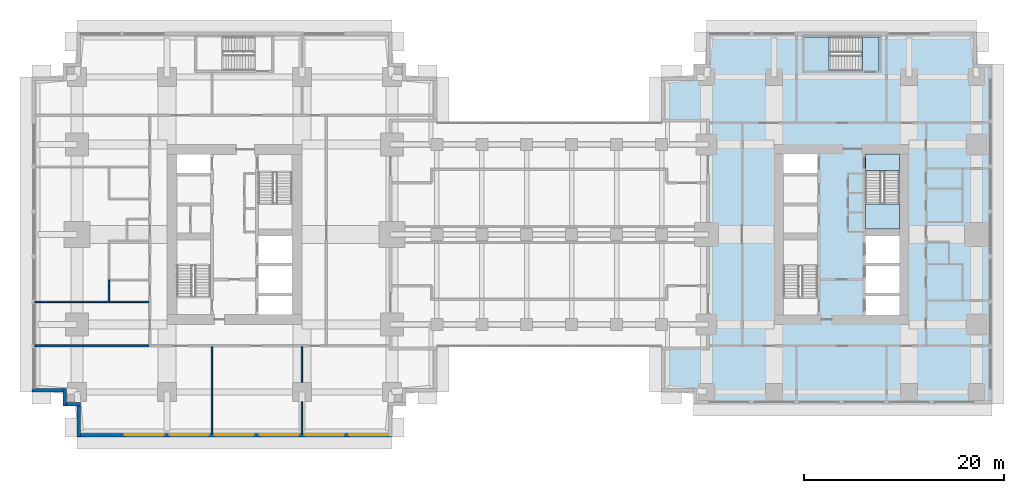
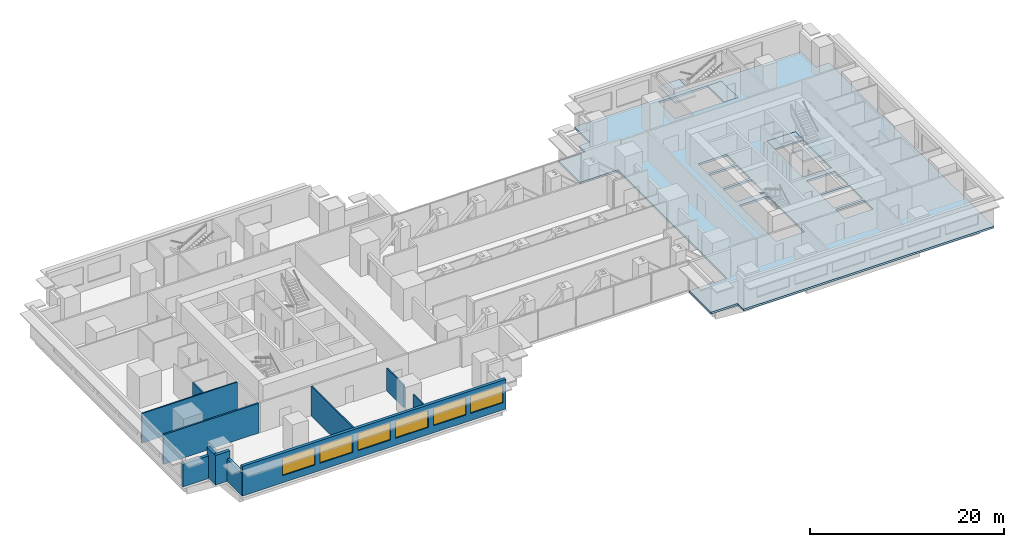
# One storey, part 6 of 16: 11 walls, 6 windows, 5 slabs, 6 openings, 2 elements without a shape of their own.
"""IFC4 building model written with IfcOpenShell, lengths in metres."""

from ifc_helpers import new_model, si_unit, direction, frame, frame_2d, origin, place, context, subcontext, project, spatial, polyline, rectangle, outline, extrude, material, layer, layer_set, type_object, element, fill, aggregate, save


model = new_model("IFC4")

# Units and contexts
model_context = context("Model", 3, precision=1e-05, world=origin(), true_north=direction((0.0, 1.0)))
body_context = subcontext(model_context, "Body", "Model", "MODEL_VIEW")
ifc_project = project(units=[si_unit("LENGTHUNIT", "METRE"), si_unit("AREAUNIT", "SQUARE_METRE"), si_unit("VOLUMEUNIT", "CUBIC_METRE"), si_unit("PLANEANGLEUNIT", "RADIAN"), si_unit("MASSUNIT", "GRAM", prefix="KILO")], contexts=[model_context])

# Site, building, storey
site_placement = place(None, origin())
site = spatial("IfcSite", under=ifc_project, at=site_placement, CompositionType="ELEMENT")
building_placement = place(site_placement, origin())
building = spatial("IfcBuilding", under=site, at=building_placement, Name="Namib Vertical Campus", CompositionType="ELEMENT")
storey_placement = place(building_placement, frame((0.0, 0.0, 125.0)))
storey = spatial("IfcBuildingStorey", under=building, at=storey_placement, Name="L29", CompositionType="ELEMENT", Elevation=125.0)

# Slab
ifc_material_1 = material(Name="Concrete C40/50", Category="concrete")
ifc_layer_1 = layer(ifc_material_1, 0.25)
ifc_layer_set_1 = layer_set([ifc_layer_1], Name="Concrete C40/50")
slab_type_1 = type_object("IfcSlabType", Name="Floor slab 250", PredefinedType="FLOOR", material=ifc_layer_set_1)
slab_1_placement = place(storey_placement, frame((0.0, 0.0, -0.25)))
element("IfcSlab", 1, at=slab_1_placement, inside=storey, type_object=slab_type_1, Name="Floor slab B L29", PredefinedType="FLOOR", context=body_context, shape_type="SweptSolid", body=[
    extrude(outline(polyline([(63.0, 9.0), (63.0, 4.5), (66.199951171875, 4.5), (66.199951171875, 3.300048828125), (96.050048828125, 3.300048828125), (96.050048828125, 37.300048828125), (94.5, 37.300048828125), (94.5, 40.5), (67.5, 40.5), (67.5, 37.300048828125), (66.199951171875, 37.300048828125), (66.199951171875, 36.0), (63.0, 36.0), (63.0, 31.5), (67.5, 31.5), (67.5, 9.0), (63.0, 9.0)]), holes=[polyline([(75.199951171875, 12.199951171875), (78.60009765625, 12.199951171875), (78.60009765625, 19.699951171875), (75.199951171875, 19.699951171875), (75.199951171875, 12.199951171875)]), polyline([(83.39990234375, 20.800048828125), (86.800048828125, 20.800048828125), (86.800048828125, 28.300048828125), (83.39990234375, 28.300048828125), (83.39990234375, 20.800048828125)]), polyline([(83.39990234375, 12.199951171875), (86.800048828125, 12.199951171875), (86.800048828125, 14.10009765625), (83.39990234375, 14.10009765625), (83.39990234375, 12.199951171875)]), polyline([(75.199951171875, 20.39990234375), (78.60009765625, 20.39990234375), (78.60009765625, 23.10009765625), (75.199951171875, 23.10009765625), (75.199951171875, 20.39990234375)]), polyline([(75.199951171875, 23.39990234375), (78.60009765625, 23.39990234375), (78.60009765625, 26.10009765625), (75.199951171875, 26.10009765625), (75.199951171875, 23.39990234375)]), polyline([(75.199951171875, 26.39990234375), (78.60009765625, 26.39990234375), (78.60009765625, 28.300048828125), (75.199951171875, 28.300048828125), (75.199951171875, 26.39990234375)]), polyline([(83.39990234375, 14.39990234375), (86.800048828125, 14.39990234375), (86.800048828125, 17.10009765625), (83.39990234375, 17.10009765625), (83.39990234375, 14.39990234375)]), polyline([(83.39990234375, 17.39990234375), (86.800048828125, 17.39990234375), (86.800048828125, 20.10009765625), (83.39990234375, 20.10009765625), (83.39990234375, 17.39990234375)]), polyline([(77.25, 36.60009765625), (84.75, 36.60009765625), (84.75, 40.0), (77.25, 40.0), (77.25, 36.60009765625)])]), origin(), (0.0, 0.0, 1.0), 0.25),
])

# Stair, slabs
ifc_material_2 = material(Name="Concrete C40/50 precast", Category="concrete")
stair_type = type_object("IfcStairType", Name="Exit stair 4000 rise 24 risers 3400 wide", PredefinedType="HALF_TURN_STAIR", material=ifc_material_2)
stair_1_placement = place(storey_placement, origin())
stair_1 = element("IfcStair", 2, at=stair_1_placement, inside=storey, type_object=stair_type, Name="Exit stair B-S2 L29", PredefinedType="HALF_TURN_STAIR")
ifc_material_3 = material(Name="Concrete C40/50", Category="concrete")
ifc_layer_2 = layer(ifc_material_3, 0.199951171875)
ifc_layer_set_2 = layer_set([ifc_layer_2], Name="Concrete C40/50")
slab_type_2 = type_object("IfcSlabType", Name="Stair landing 200", PredefinedType="LANDING", material=ifc_layer_set_2)
slab_2_placement = place(storey_placement, frame((0.0, 0.0, -0.199951171875)))
slab_2 = element("IfcSlab", 3, at=slab_2_placement, type_object=slab_type_2, Name="B-S2 landing 1", PredefinedType="LANDING", context=body_context, shape_type="SweptSolid", body=[
    extrude(outline(polyline([(83.39990234375, 26.64599609375), (86.800048828125, 26.64599609375), (86.800048828125, 28.300048828125), (83.39990234375, 28.300048828125), (83.39990234375, 26.64599609375)])), origin(), (0.0, 0.0, 1.0), 0.199951171875),
])
slab_3_placement = place(storey_placement, frame((0.0, 0.0, 1.800048828125)))
slab_3 = element("IfcSlab", 4, at=slab_3_placement, type_object=slab_type_2, Name="B-S2 landing 2", PredefinedType="LANDING", context=body_context, shape_type="SweptSolid", body=[
    extrude(outline(polyline([(83.39990234375, 20.800048828125), (86.800048828125, 20.800048828125), (86.800048828125, 23.27392578125), (83.39990234375, 23.27392578125), (83.39990234375, 20.800048828125)])), origin(), (0.0, 0.0, 1.0), 0.199951171875),
])
aggregate(stair_1, [slab_2, slab_3])

stair_2_placement = place(storey_placement, origin())
stair_2 = element("IfcStair", 5, at=stair_2_placement, inside=storey, type_object=stair_type, Name="Exit stair B-S3 L29", PredefinedType="HALF_TURN_STAIR")
slab_4_placement = place(storey_placement, frame((0.0, 0.0, -0.199951171875)))
slab_4 = element("IfcSlab", 6, at=slab_4_placement, type_object=slab_type_2, Name="B-S3 landing 1", PredefinedType="LANDING", context=body_context, shape_type="SweptSolid", body=[
    extrude(outline(polyline([(83.09619140625, 36.60009765625), (83.09619140625, 40.0), (84.75, 40.0), (84.75, 36.60009765625), (83.09619140625, 36.60009765625)])), origin(), (0.0, 0.0, 1.0), 0.199951171875),
])
slab_5_placement = place(storey_placement, frame((0.0, 0.0, 1.800048828125)))
slab_5 = element("IfcSlab", 7, at=slab_5_placement, type_object=slab_type_2, Name="B-S3 landing 2", PredefinedType="LANDING", context=body_context, shape_type="SweptSolid", body=[
    extrude(outline(polyline([(77.25, 36.60009765625), (77.25, 40.0), (79.723876953125, 40.0), (79.723876953125, 36.60009765625), (77.25, 36.60009765625)])), origin(), (0.0, 0.0, 1.0), 0.199951171875),
])
aggregate(stair_2, [slab_4, slab_5])

# Walls
ifc_material_4 = material(Name="Concrete masonry", Category="masonry")
ifc_layer_3 = layer(ifc_material_4, 0.199951171875)
ifc_layer_set_3 = layer_set([ifc_layer_3], Name="Corridor wall 200")
wall_type_1 = type_object("IfcWallType", Name="Corridor wall 200", PredefinedType="SOLIDWALL", material=ifc_layer_set_3)
wall_1_placement = place(storey_placement, frame((0.300048828125, 9.10009765625, 0.0), z_axis=(0.0, 0.0, 1.0), x_axis=(1.0, 0.0, 0.0)))
element("IfcWall", 8, at=wall_1_placement, inside=storey, type_object=wall_type_1, Name="Partition A L29 BSW", PredefinedType="SOLIDWALL", context=body_context, shape_type="SweptSolid", body=[
    extrude(rectangle(XDim=11.39990234375, YDim=0.199951171875, at=frame_2d((5.699951171875, 0.0))), origin(), (0.0, 0.0, 1.0), 3.75),
])
ifc_material_5 = material(Name="Concrete C40/50", Category="concrete")
ifc_layer_4 = layer(ifc_material_5, 0.35009765625)
ifc_layer_set_4 = layer_set([ifc_layer_4], Name="Concrete C40/50")
wall_type_2 = type_object("IfcWallType", Name="External wall 350 bush-hammered concrete", PredefinedType="STANDARD", material=ifc_layer_set_4)
wall_2_placement = place(storey_placement, frame((4.675048828125, 3.429931640625, 0.0), z_axis=(0.0, 0.0, 1.0), x_axis=(0.0, -1.0, 0.0)))
element("IfcWall", 9, at=wall_2_placement, inside=storey, type_object=wall_type_2, Name="External wall L29 F01", PredefinedType="STANDARD", context=body_context, shape_type="SweptSolid", body=[
    extrude(rectangle(XDim=3.409912109375, YDim=0.35009765625, at=frame_2d((1.705078125, 0.0))), origin(), (0.0, 0.0, 1.0), 2.85009765625),
])

# Wall, openings, windows
wall_3_placement = place(storey_placement, frame((4.52001953125, 0.175048828125, 0.0), z_axis=(0.0, 0.0, 1.0), x_axis=(1.0, 0.0, 0.0)))
wall_3 = element("IfcWall", 10, at=wall_3_placement, inside=storey, type_object=wall_type_2, Name="External wall L29 F02", PredefinedType="STANDARD", context=body_context, shape_type="SweptSolid", body=[
    extrude(rectangle(XDim=31.4599609375, YDim=0.35009765625, at=frame_2d((15.72998046875, 0.0))), origin(), (0.0, 0.0, 1.0), 3.75),
])
opening_1_placement = place(wall_3_placement, frame((4.780029296875, 0.0, 0.89990234375)))
opening_1 = element("IfcOpeningElement", 11, at=opening_1_placement, cuts=wall_3, Name="Opening W1", PredefinedType="OPENING", context=body_context, shape_type="SweptSolid", body=[
    extrude(rectangle(XDim=3.89990234375, YDim=2.199951171875, at=frame_2d((1.949951171875, 1.10009765625))), frame((0.0, 0.18505859375, 0.0), z_axis=(0.0, -1.0, 0.0), x_axis=(1.0, 0.0, 0.0)), (0.0, 0.0, 1.0), 0.3701171875),
])
opening_2_placement = place(wall_3_placement, frame((9.280029296875, 0.0, 0.89990234375)))
opening_2 = element("IfcOpeningElement", 12, at=opening_2_placement, cuts=wall_3, Name="Opening W1", PredefinedType="OPENING", context=body_context, shape_type="SweptSolid", body=[
    extrude(rectangle(XDim=3.89990234375, YDim=2.199951171875, at=frame_2d((1.949951171875, 1.10009765625))), frame((0.0, 0.18505859375, 0.0), z_axis=(0.0, -1.0, 0.0), x_axis=(1.0, 0.0, 0.0)), (0.0, 0.0, 1.0), 0.3701171875),
])
opening_3_placement = place(wall_3_placement, frame((13.780029296875, 0.0, 0.89990234375)))
opening_3 = element("IfcOpeningElement", 13, at=opening_3_placement, cuts=wall_3, Name="Opening W1", PredefinedType="OPENING", context=body_context, shape_type="SweptSolid", body=[
    extrude(rectangle(XDim=3.89990234375, YDim=2.199951171875, at=frame_2d((1.949951171875, 1.10009765625))), frame((0.0, 0.18505859375, 0.0), z_axis=(0.0, -1.0, 0.0), x_axis=(1.0, 0.0, 0.0)), (0.0, 0.0, 1.0), 0.3701171875),
])
opening_4_placement = place(wall_3_placement, frame((18.280029296875, 0.0, 0.89990234375)))
opening_4 = element("IfcOpeningElement", 14, at=opening_4_placement, cuts=wall_3, Name="Opening W1", PredefinedType="OPENING", context=body_context, shape_type="SweptSolid", body=[
    extrude(rectangle(XDim=3.89990234375, YDim=2.199951171875, at=frame_2d((1.949951171875, 1.10009765625))), frame((0.0, 0.18505859375, 0.0), z_axis=(0.0, -1.0, 0.0), x_axis=(1.0, 0.0, 0.0)), (0.0, 0.0, 1.0), 0.3701171875),
])
opening_5_placement = place(wall_3_placement, frame((22.780029296875, 0.0, 0.89990234375)))
opening_5 = element("IfcOpeningElement", 15, at=opening_5_placement, cuts=wall_3, Name="Opening W1", PredefinedType="OPENING", context=body_context, shape_type="SweptSolid", body=[
    extrude(rectangle(XDim=3.89990234375, YDim=2.199951171875, at=frame_2d((1.949951171875, 1.10009765625))), frame((0.0, 0.18505859375, 0.0), z_axis=(0.0, -1.0, 0.0), x_axis=(1.0, 0.0, 0.0)), (0.0, 0.0, 1.0), 0.3701171875),
])
opening_6_placement = place(wall_3_placement, frame((27.2099609375, 0.0, 0.89990234375)))
opening_6 = element("IfcOpeningElement", 16, at=opening_6_placement, cuts=wall_3, Name="Opening W1", PredefinedType="OPENING", context=body_context, shape_type="SweptSolid", body=[
    extrude(rectangle(XDim=3.89990234375, YDim=2.199951171875, at=frame_2d((1.949951171875, 1.10009765625))), frame((0.0, 0.18505859375, 0.0), z_axis=(0.0, -1.0, 0.0), x_axis=(1.0, 0.0, 0.0)), (0.0, 0.0, 1.0), 0.3701171875),
])
ifc_material_6 = material(Name="Dark tinted glass in black aluminium frame", Category="aluminium")
window_type = type_object("IfcWindowType", Name="Ribbon window 3900x2200", PartitioningType="SINGLE_PANEL", PredefinedType="WINDOW", material=ifc_material_6)
window_1_placement = place(opening_1_placement, origin())
window_1 = element("IfcWindow", 17, at=window_1_placement, inside=storey, type_object=window_type, Name="Window W1 L29 F02-2", OverallHeight=2.199951171875, OverallWidth=3.89990234375, PartitioningType="SINGLE_PANEL", PredefinedType="WINDOW", context=body_context, shape_type="SweptSolid", body=[
    extrude(rectangle(XDim=3.89990234375, YDim=2.199951171875, at=frame_2d((1.949951171875, 1.10009765625))), frame((0.0, 0.030029296875, 0.0), z_axis=(0.0, -1.0, 0.0), x_axis=(1.0, 0.0, 0.0)), (0.0, 0.0, 1.0), 0.06005859375),
])
fill(opening_1, window_1)
window_2_placement = place(opening_2_placement, origin())
window_2 = element("IfcWindow", 18, at=window_2_placement, inside=storey, type_object=window_type, Name="Window W1 L29 F02-3", OverallHeight=2.199951171875, OverallWidth=3.89990234375, PartitioningType="SINGLE_PANEL", PredefinedType="WINDOW", context=body_context, shape_type="SweptSolid", body=[
    extrude(rectangle(XDim=3.89990234375, YDim=2.199951171875, at=frame_2d((1.949951171875, 1.10009765625))), frame((0.0, 0.030029296875, 0.0), z_axis=(0.0, -1.0, 0.0), x_axis=(1.0, 0.0, 0.0)), (0.0, 0.0, 1.0), 0.06005859375),
])
fill(opening_2, window_2)
window_3_placement = place(opening_3_placement, origin())
window_3 = element("IfcWindow", 19, at=window_3_placement, inside=storey, type_object=window_type, Name="Window W1 L29 F02-4", OverallHeight=2.199951171875, OverallWidth=3.89990234375, PartitioningType="SINGLE_PANEL", PredefinedType="WINDOW", context=body_context, shape_type="SweptSolid", body=[
    extrude(rectangle(XDim=3.89990234375, YDim=2.199951171875, at=frame_2d((1.949951171875, 1.10009765625))), frame((0.0, 0.030029296875, 0.0), z_axis=(0.0, -1.0, 0.0), x_axis=(1.0, 0.0, 0.0)), (0.0, 0.0, 1.0), 0.06005859375),
])
fill(opening_3, window_3)
window_4_placement = place(opening_4_placement, origin())
window_4 = element("IfcWindow", 20, at=window_4_placement, inside=storey, type_object=window_type, Name="Window W1 L29 F02-5", OverallHeight=2.199951171875, OverallWidth=3.89990234375, PartitioningType="SINGLE_PANEL", PredefinedType="WINDOW", context=body_context, shape_type="SweptSolid", body=[
    extrude(rectangle(XDim=3.89990234375, YDim=2.199951171875, at=frame_2d((1.949951171875, 1.10009765625))), frame((0.0, 0.030029296875, 0.0), z_axis=(0.0, -1.0, 0.0), x_axis=(1.0, 0.0, 0.0)), (0.0, 0.0, 1.0), 0.06005859375),
])
fill(opening_4, window_4)
window_5_placement = place(opening_5_placement, origin())
window_5 = element("IfcWindow", 21, at=window_5_placement, inside=storey, type_object=window_type, Name="Window W1 L29 F02-6", OverallHeight=2.199951171875, OverallWidth=3.89990234375, PartitioningType="SINGLE_PANEL", PredefinedType="WINDOW", context=body_context, shape_type="SweptSolid", body=[
    extrude(rectangle(XDim=3.89990234375, YDim=2.199951171875, at=frame_2d((1.949951171875, 1.10009765625))), frame((0.0, 0.030029296875, 0.0), z_axis=(0.0, -1.0, 0.0), x_axis=(1.0, 0.0, 0.0)), (0.0, 0.0, 1.0), 0.06005859375),
])
fill(opening_5, window_5)
window_6_placement = place(opening_6_placement, origin())
window_6 = element("IfcWindow", 22, at=window_6_placement, inside=storey, type_object=window_type, Name="Window W1 L29 F02-7", OverallHeight=2.199951171875, OverallWidth=3.89990234375, PartitioningType="SINGLE_PANEL", PredefinedType="WINDOW", context=body_context, shape_type="SweptSolid", body=[
    extrude(rectangle(XDim=3.89990234375, YDim=2.199951171875, at=frame_2d((1.949951171875, 1.10009765625))), frame((0.0, 0.030029296875, 0.0), z_axis=(0.0, -1.0, 0.0), x_axis=(1.0, 0.0, 0.0)), (0.0, 0.0, 1.0), 0.06005859375),
])
fill(opening_6, window_6)

# Walls
wall_4_placement = place(storey_placement, frame((0.02001953125, 4.675048828125, 0.0), z_axis=(0.0, 0.0, 1.0), x_axis=(1.0, 0.0, 0.0)))
element("IfcWall", 23, at=wall_4_placement, inside=storey, type_object=wall_type_2, Name="External wall L29 F22", PredefinedType="STANDARD", context=body_context, shape_type="SweptSolid", body=[
    extrude(rectangle(XDim=3.409912109375, YDim=0.35009765625, at=frame_2d((1.705078125, 0.0))), origin(), (0.0, 0.0, 1.0), 2.85009765625),
])
for number, where, z_axis, x_axis, name in (
    (24, (3.27490234375, 4.830078125, 0.0), (0.0, 0.0, 1.0), (0.0, -1.0, 0.0), "External wall L29 F23"),
    (25, (3.1201171875, 3.27490234375, 0.0), (0.0, 0.0, 1.0), (1.0, 0.0, 0.0), "External wall L29 F24"),
):
    element("IfcWall", number, at=place(storey_placement, frame(where, z_axis=z_axis, x_axis=x_axis)), inside=storey, type_object=wall_type_2, Name=name, PredefinedType="STANDARD", context=body_context, shape_type="SweptSolid", body=[
        extrude(rectangle(XDim=1.7099609375, YDim=0.35009765625, at=frame_2d((0.85498046875, 0.0))), origin(), (0.0, 0.0, 1.0), 3.75),
    ])
ifc_material_7 = material(Name="Gypsum board on steel studs", Category="steel")
ifc_layer_5 = layer(ifc_material_7, 0.14990234375)
ifc_layer_set_5 = layer_set([ifc_layer_5], Name="Gypsum board on steel studs")
wall_type_3 = type_object("IfcWallType", Name="Partition 150", PredefinedType="PARTITIONING", material=ifc_layer_set_5)
wall_5_placement = place(storey_placement, frame((18.0, 0.300048828125, 0.0), z_axis=(0.0, 0.0, 1.0), x_axis=(0.0, 1.0, 0.0)))
element("IfcWall", 26, at=wall_5_placement, inside=storey, type_object=wall_type_3, Name="Partition A L29 PS1", PredefinedType="PARTITIONING", context=body_context, shape_type="SweptSolid", body=[
    extrude(rectangle(XDim=8.699951171875, YDim=0.14990234375, at=frame_2d((4.35009765625, 0.0))), origin(), (0.0, 0.0, 1.0), 3.75),
])
wall_6_placement = place(storey_placement, frame((27.0, 0.300048828125, 0.0), z_axis=(0.0, 0.0, 1.0), x_axis=(0.0, 1.0, 0.0)))
element("IfcWall", 27, at=wall_6_placement, inside=storey, type_object=wall_type_3, Name="Partition A L29 PS2", PredefinedType="PARTITIONING", context=body_context, shape_type="SweptSolid", body=[
    extrude(rectangle(XDim=3.22998046875, YDim=0.14990234375, at=frame_2d((1.614990234375, 0.0))), origin(), (0.0, 0.0, 1.0), 2.85009765625),
])
wall_7_placement = place(storey_placement, frame((27.0, 5.469970703125, 0.0), z_axis=(0.0, 0.0, 1.0), x_axis=(0.0, 1.0, 0.0)))
element("IfcWall", 28, at=wall_7_placement, inside=storey, type_object=wall_type_3, Name="Partition A L29 PS2", PredefinedType="PARTITIONING", context=body_context, shape_type="SweptSolid", body=[
    extrude(rectangle(XDim=3.530029296875, YDim=0.14990234375, at=frame_2d((1.76513671875, 0.0))), origin(), (0.0, 0.0, 1.0), 2.85009765625),
])
wall_8_placement = place(storey_placement, frame((0.300048828125, 13.5, 0.0), z_axis=(0.0, 0.0, 1.0), x_axis=(1.0, 0.0, 0.0)))
element("IfcWall", 29, at=wall_8_placement, inside=storey, type_object=wall_type_3, Name="Partition A L29 PW1", PredefinedType="PARTITIONING", context=body_context, shape_type="SweptSolid", body=[
    extrude(rectangle(XDim=11.39990234375, YDim=0.14990234375, at=frame_2d((5.699951171875, 0.0))), origin(), (0.0, 0.0, 1.0), 3.75),
])
wall_9_placement = place(storey_placement, frame((7.699951171875, 13.5, 0.0), z_axis=(0.0, 0.0, 1.0), x_axis=(0.0, 1.0, 0.0)))
element("IfcWall", 30, at=wall_9_placement, inside=storey, type_object=wall_type_3, Name="Partition A L29 WB1", PredefinedType="PARTITIONING", context=body_context, shape_type="SweptSolid", body=[
    extrude(rectangle(XDim=2.199951171875, YDim=0.14990234375, at=frame_2d((1.10009765625, 0.0))), origin(), (0.0, 0.0, 1.0), 3.75),
])

save(model, "model.ifc")
